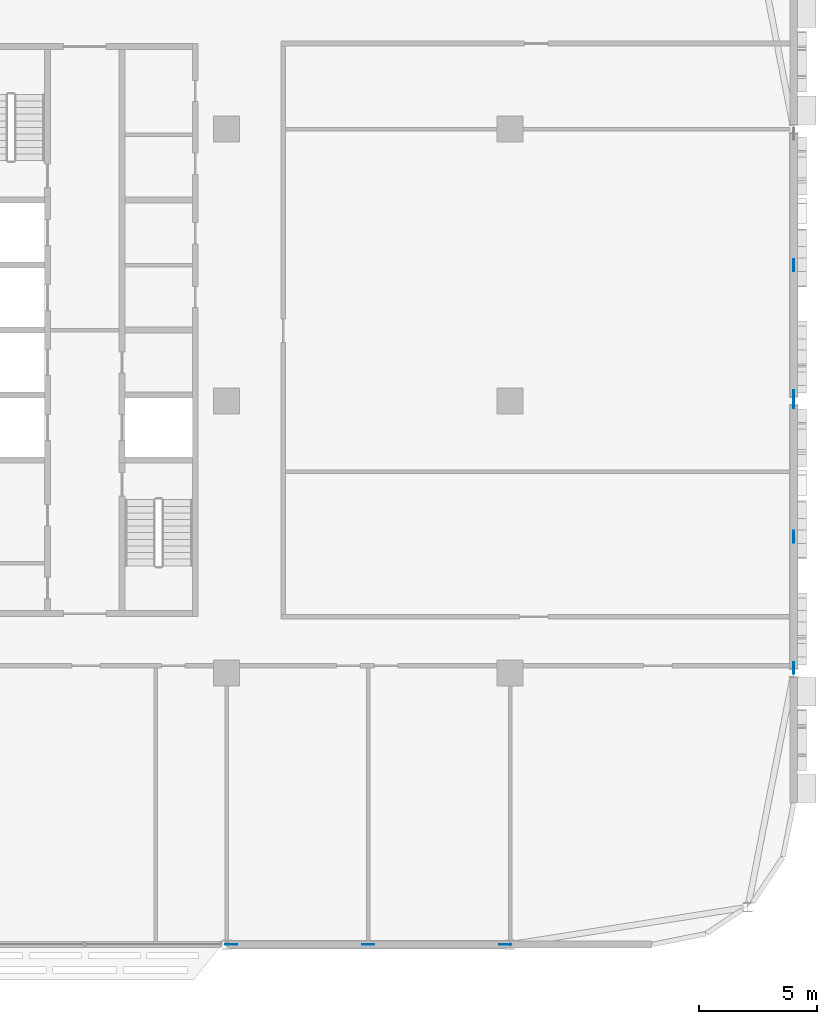
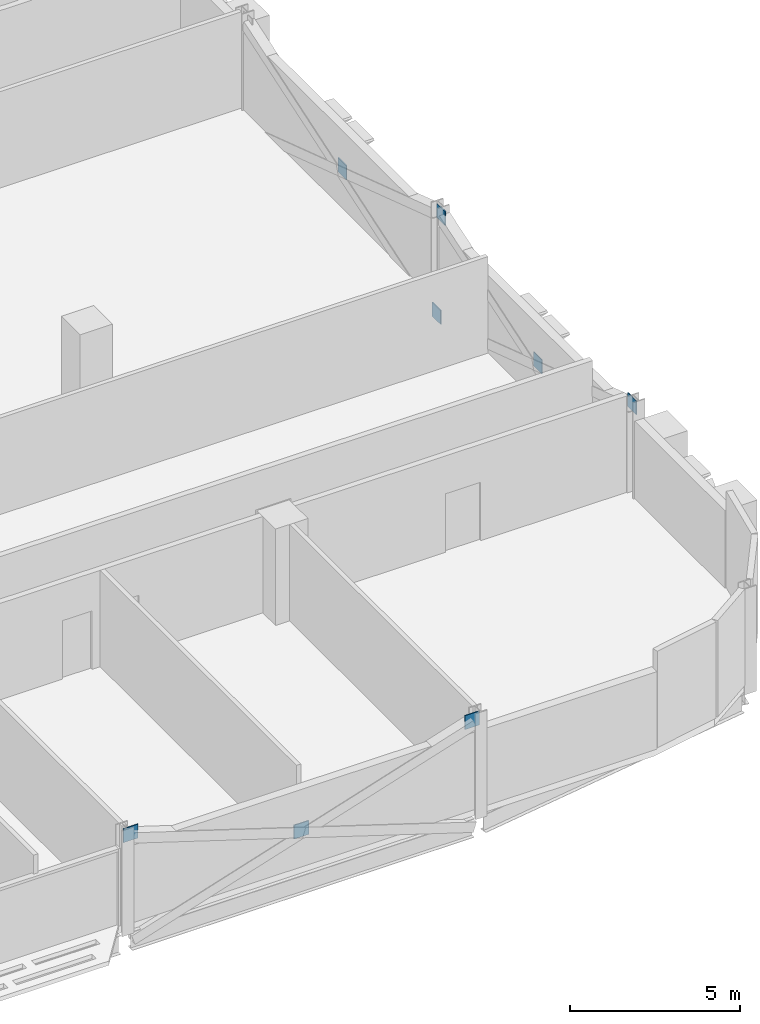
# One storey, part 23 of 30: 8 discrete accessories.
"""IFC4 building model written with IfcOpenShell, lengths in metres."""

from ifc_helpers import new_model, si_unit, direction, frame, origin, origin_2d, place, context, subcontext, project, spatial, rectangle, extrude, material, layer, layer_set, type_object, element, save


model = new_model("IFC4")

# Units and contexts
model_context = context("Model", 3, precision=1e-05, world=origin(), true_north=direction((0.0, 1.0)))
body_context = subcontext(model_context, "Body", "Model", "MODEL_VIEW")
ifc_project = project(units=[si_unit("LENGTHUNIT", "METRE"), si_unit("AREAUNIT", "SQUARE_METRE"), si_unit("VOLUMEUNIT", "CUBIC_METRE"), si_unit("PLANEANGLEUNIT", "RADIAN"), si_unit("MASSUNIT", "GRAM", prefix="KILO")], contexts=[model_context])

# Site, building, storey
site_placement = place(None, origin())
site = spatial("IfcSite", under=ifc_project, at=site_placement, CompositionType="ELEMENT")
building_placement = place(site_placement, origin())
building = spatial("IfcBuilding", under=site, at=building_placement, Name="Mahtab Terrace Research Tower", CompositionType="ELEMENT")
storey_placement = place(building_placement, frame((0.0, 0.0, 201.5)))
storey = spatial("IfcBuildingStorey", under=building, at=storey_placement, Name="L48", CompositionType="ELEMENT", Elevation=201.5)

# Discrete accessories
ifc_material = material(Name="Steel ASTM A992 Gr 50", Category="steel")
ifc_layer = layer(ifc_material, 0.030029296875)
ifc_layer_set = layer_set([ifc_layer], Name="Gusset plate 500x500x30")
discrete_accessory_type = type_object("IfcDiscreteAccessoryType", Name="Gusset plate 500x500x30", PredefinedType="USERDEFINED", material=ifc_layer_set)
for number, where, z_axis, x_axis, name in (
    (1, (30.20068359375, -23.0, 2.870849609375), (0.0, 0.0, 1.0), (1.0, 0.0, 0.0), "Gusset plate"),
    (2, (36.0, -23.0, 0.970947265625), (0.0, 0.0, 1.0), (1.0, 0.0, 0.0), "Gusset plate"),
    (3, (41.79931640625, -23.0, 2.870849609375), (0.0, 0.0, 1.0), (1.0, 0.0, 0.0), "Gusset plate"),
    (4, (54.0, -11.300537109375, 2.870849609375), (0.0, 0.0, 1.0), (0.0, 1.0, 0.0), "Gusset plate"),
    (5, (54.0, -5.75, 0.970947265625), (0.0, 0.0, 1.0), (0.0, 1.0, 0.0), "Gusset plate"),
    (6, (54.0, -0.06640625, 2.848876953125), (0.0, 0.0, 1.0), (0.0, 1.0, 0.0), "Gusset plate"),
    (7, (54.0, 0.199462890625, -0.86328125), (0.0, 0.0, 1.0), (0.0, 1.0, 0.0), "Gusset plate"),
    (8, (54.0, 5.75, 0.970947265625), (0.0, 0.0, 1.0), (0.0, 1.0, 0.0), "Gusset plate"),
):
    element("IfcDiscreteAccessory", number, at=place(storey_placement, frame(where, z_axis=z_axis, x_axis=x_axis)), inside=storey, type_object=discrete_accessory_type, Name=name, ObjectType="GUSSET PLATE", PredefinedType="USERDEFINED", context=body_context, shape_type="SweptSolid", body=[
        extrude(rectangle(XDim=0.5, YDim=0.030029296875, at=origin_2d()), origin(), (0.0, 0.0, 1.0), 0.5),
    ])

save(model, "model.ifc")
